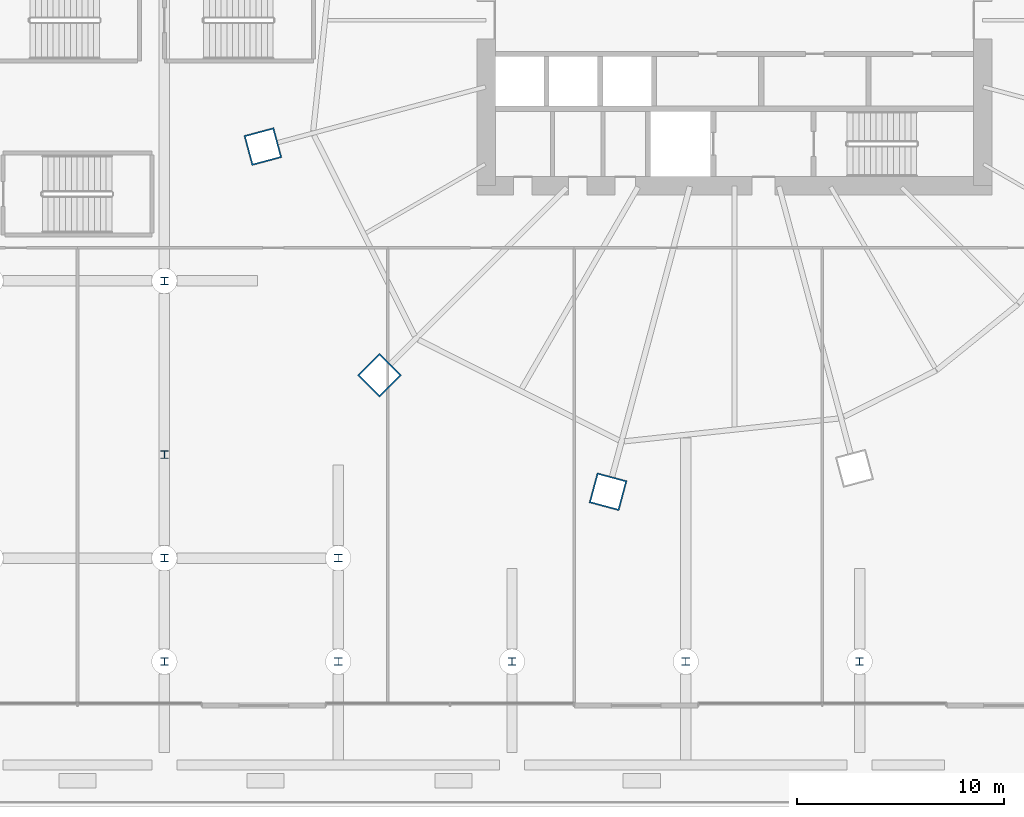
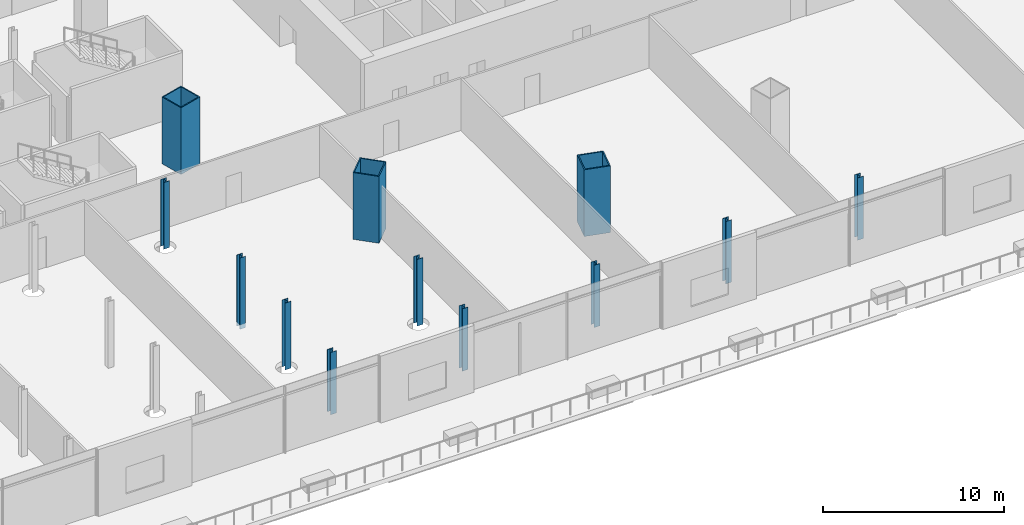
# One storey, part 5 of 56: 12 columns.
"""IFC4 building model written with IfcOpenShell, lengths in metres."""

from ifc_helpers import new_model, si_unit, direction, frame, origin, origin_2d, place, context, subcontext, project, spatial, hollow_rectangle, i_section, extrude, material, material_profile, profile_set, type_object, element, save


model = new_model("IFC4")

# Units and contexts
model_context = context("Model", 3, precision=1e-05, world=origin(), true_north=direction((0.0, 1.0)))
body_context = subcontext(model_context, "Body", "Model", "MODEL_VIEW")
ifc_project = project(units=[si_unit("LENGTHUNIT", "METRE"), si_unit("AREAUNIT", "SQUARE_METRE"), si_unit("VOLUMEUNIT", "CUBIC_METRE"), si_unit("PLANEANGLEUNIT", "RADIAN"), si_unit("MASSUNIT", "GRAM", prefix="KILO")], contexts=[model_context])

# Site, building, storey
site_placement = place(None, origin())
site = spatial("IfcSite", under=ifc_project, at=site_placement, CompositionType="ELEMENT")
building_placement = place(site_placement, origin())
building = spatial("IfcBuilding", under=site, at=building_placement, Name="Rimbun Link Towers", CompositionType="ELEMENT")
storey_placement = place(building_placement, frame((0.0, 0.0, 16.5)))
storey = spatial("IfcBuildingStorey", under=building, at=storey_placement, Name="L03", CompositionType="ELEMENT", Elevation=16.5)

# Columns
ifc_material_1 = material(Name="Steel S460N", Category="steel")
ifc_material_profile_1 = material_profile(ifc_material_1, hollow_rectangle(XDim=1.5, YDim=1.5, WallThickness=0.070068359375, at=origin_2d()), Name="BOX 1500x1500x70")
ifc_profile_set_1 = profile_set([ifc_material_profile_1], Name="Steel S460N")
column_type_1 = type_object("IfcColumnType", Name="BOX 1500x1500x70", PredefinedType="COLUMN", material=ifc_profile_set_1)
for number, where, z_axis, x_axis, name in (
    (1, (8.959716796875, -6.106689453125, 0.0), (0.0, 0.0, 1.0), (-0.965925826289, -0.258819045103, 0.0), "Mega column T2 L03 10"),
    (2, (14.59375, -17.15625, 0.0), (0.0, 0.0, 1.0), (-0.707106781187, -0.707106781187, 0.0), "Mega column T2 L03 12"),
    (3, (25.643310546875, -22.790283203125, 0.0), (0.0, 0.0, 1.0), (-0.258819045103, -0.965925826289, 0.0), "Mega column T2 L03 14"),
):
    element("IfcColumn", number, at=place(storey_placement, frame(where, z_axis=z_axis, x_axis=x_axis)), inside=storey, type_object=column_type_1, Name=name, PredefinedType="COLUMN", context=body_context, shape_type="SweptSolid", body=[
        extrude(hollow_rectangle(XDim=1.5, YDim=1.5, WallThickness=0.070068359375, at=origin_2d()), origin(), (0.0, 0.0, 1.0), 4.5),
    ])
ifc_material_2 = material(Name="Steel S355J2", Category="steel")
ifc_material_profile_2 = material_profile(ifc_material_2, i_section(OverallWidth=0.37060546875, OverallDepth=0.362060546875, WebThickness=0.01220703125, FlangeThickness=0.020751953125, at=origin_2d()), Name="UC 356x368x153")
ifc_profile_set_2 = profile_set([ifc_material_profile_2], Name="Steel S355J2")
column_type_2 = type_object("IfcColumnType", Name="UC 356x368x153", PredefinedType="COLUMN", material=ifc_profile_set_2)
column_1_placement = place(storey_placement, frame((4.199951171875, -31.0, 0.0), z_axis=(0.0, 0.0, 1.0), x_axis=(1.0, 0.0, 0.0)))
element("IfcColumn", 4, at=column_1_placement, inside=storey, type_object=column_type_2, Name="Column L03 +4.2 -31.0", PredefinedType="COLUMN", context=body_context, shape_type="SweptSolid", body=[
    extrude(i_section(OverallWidth=0.37060546875, OverallDepth=0.362060546875, WebThickness=0.01220703125, FlangeThickness=0.020751953125, at=origin_2d()), origin(), (0.0, 0.0, 1.0), 4.199951171875),
])
column_2_placement = place(storey_placement, frame((4.199951171875, -26.0, 0.0), z_axis=(0.0, 0.0, 1.0), x_axis=(1.0, 0.0, 0.0)))
element("IfcColumn", 5, at=column_2_placement, inside=storey, type_object=column_type_2, Name="Column L03 +4.2 -26.0", PredefinedType="COLUMN", context=body_context, shape_type="SweptSolid", body=[
    extrude(i_section(OverallWidth=0.37060546875, OverallDepth=0.362060546875, WebThickness=0.01220703125, FlangeThickness=0.020751953125, at=origin_2d()), origin(), (0.0, 0.0, 1.0), 4.5),
])
column_3_placement = place(storey_placement, frame((4.199951171875, -21.0, -0.300048828125), z_axis=(0.0, 0.0, 1.0), x_axis=(1.0, 0.0, 0.0)))
element("IfcColumn", 6, at=column_3_placement, inside=storey, type_object=column_type_2, Name="Column L03 +4.2 -21.0", PredefinedType="COLUMN", context=body_context, shape_type="SweptSolid", body=[
    extrude(i_section(OverallWidth=0.37060546875, OverallDepth=0.362060546875, WebThickness=0.01220703125, FlangeThickness=0.020751953125, at=origin_2d()), origin(), (0.0, 0.0, 1.0), 4.800048828125),
])
column_4_placement = place(storey_placement, frame((4.199951171875, -12.60009765625, 0.0), z_axis=(0.0, 0.0, 1.0), x_axis=(1.0, 0.0, 0.0)))
element("IfcColumn", 7, at=column_4_placement, inside=storey, type_object=column_type_2, Name="Column L03 +4.2 -12.6", PredefinedType="COLUMN", context=body_context, shape_type="SweptSolid", body=[
    extrude(i_section(OverallWidth=0.37060546875, OverallDepth=0.362060546875, WebThickness=0.01220703125, FlangeThickness=0.020751953125, at=origin_2d()), origin(), (0.0, 0.0, 1.0), 4.5),
])
column_5_placement = place(storey_placement, frame((12.60009765625, -31.0, 0.0), z_axis=(0.0, 0.0, 1.0), x_axis=(1.0, 0.0, 0.0)))
element("IfcColumn", 8, at=column_5_placement, inside=storey, type_object=column_type_2, Name="Column L03 +12.6 -31.0", PredefinedType="COLUMN", context=body_context, shape_type="SweptSolid", body=[
    extrude(i_section(OverallWidth=0.37060546875, OverallDepth=0.362060546875, WebThickness=0.01220703125, FlangeThickness=0.020751953125, at=origin_2d()), origin(), (0.0, 0.0, 1.0), 4.199951171875),
])
column_6_placement = place(storey_placement, frame((12.60009765625, -26.0, 0.0), z_axis=(0.0, 0.0, 1.0), x_axis=(1.0, 0.0, 0.0)))
element("IfcColumn", 9, at=column_6_placement, inside=storey, type_object=column_type_2, Name="Column L03 +12.6 -26.0", PredefinedType="COLUMN", context=body_context, shape_type="SweptSolid", body=[
    extrude(i_section(OverallWidth=0.37060546875, OverallDepth=0.362060546875, WebThickness=0.01220703125, FlangeThickness=0.020751953125, at=origin_2d()), origin(), (0.0, 0.0, 1.0), 4.5),
])
for number, where, z_axis, x_axis, name in (
    (10, (21.0, -31.0, 0.0), (0.0, 0.0, 1.0), (1.0, 0.0, 0.0), "Column L03 +21.0 -31.0"),
    (11, (29.39990234375, -31.0, 0.0), (0.0, 0.0, 1.0), (1.0, 0.0, 0.0), "Column L03 +29.4 -31.0"),
    (12, (37.800048828125, -31.0, 0.0), (0.0, 0.0, 1.0), (1.0, 0.0, 0.0), "Column L03 +37.8 -31.0"),
):
    element("IfcColumn", number, at=place(storey_placement, frame(where, z_axis=z_axis, x_axis=x_axis)), inside=storey, type_object=column_type_2, Name=name, PredefinedType="COLUMN", context=body_context, shape_type="SweptSolid", body=[
        extrude(i_section(OverallWidth=0.37060546875, OverallDepth=0.362060546875, WebThickness=0.01220703125, FlangeThickness=0.020751953125, at=origin_2d()), origin(), (0.0, 0.0, 1.0), 4.199951171875),
    ])

save(model, "model.ifc")
